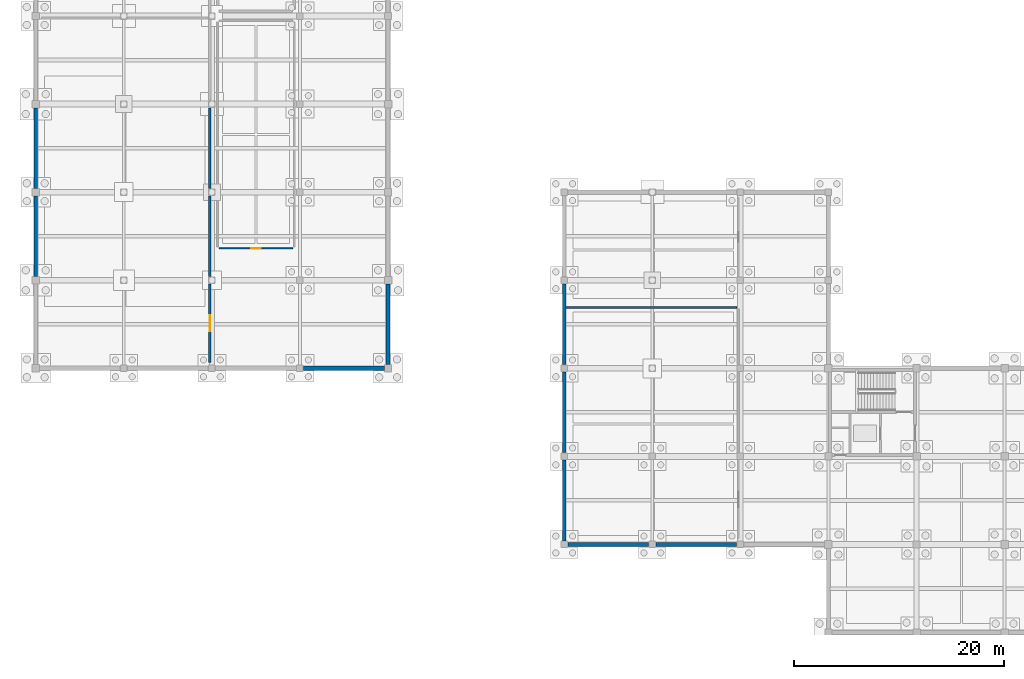
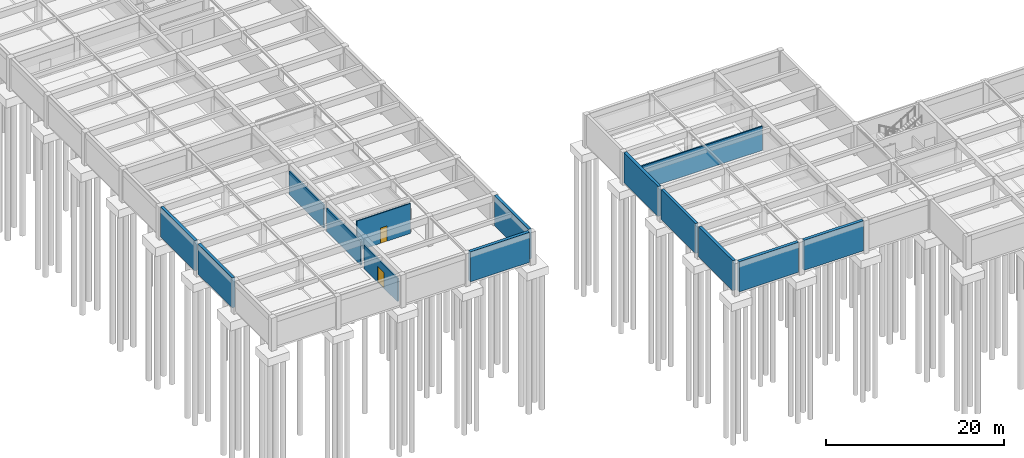
# One storey, part 16 of 33: 14 walls, 2 doors, 2 openings.
"""IFC4 building model written with IfcOpenShell, lengths in metres."""

from ifc_helpers import new_model, si_unit, direction, frame, frame_2d, origin, place, context, subcontext, project, spatial, rectangle, extrude, material, layer, layer_set, type_object, element, fill, save


model = new_model("IFC4")

# Units and contexts
model_context = context("Model", 3, precision=1e-05, world=origin(), true_north=direction((0.0, 1.0)))
body_context = subcontext(model_context, "Body", "Model", "MODEL_VIEW")
ifc_project = project(units=[si_unit("LENGTHUNIT", "METRE"), si_unit("AREAUNIT", "SQUARE_METRE"), si_unit("VOLUMEUNIT", "CUBIC_METRE"), si_unit("PLANEANGLEUNIT", "RADIAN"), si_unit("MASSUNIT", "GRAM", prefix="KILO")], contexts=[model_context])

# Site, building, storey
site_placement = place(None, origin())
site = spatial("IfcSite", under=ifc_project, at=site_placement, CompositionType="ELEMENT")
building_placement = place(site_placement, origin())
building = spatial("IfcBuilding", under=site, at=building_placement, Name="Kveldsbrygga Polytechnic", CompositionType="ELEMENT")
storey_placement = place(building_placement, frame((0.0, 0.0, -4.419921875)))
storey = spatial("IfcBuildingStorey", under=building, at=storey_placement, Name="B1", CompositionType="ELEMENT", Elevation=-4.419921875)

# Wall
ifc_material_1 = material(Name="Gypsum acoustic stud partition")
ifc_layer_1 = layer(ifc_material_1, 0.179931640625)
ifc_layer_set_1 = layer_set([ifc_layer_1], Name="Gypsum acoustic stud partition")
wall_type_1 = type_object("IfcWallType", Name="IW-CORR-180", PredefinedType="PARTITIONING", material=ifc_layer_set_1)
wall_1_placement = place(storey_placement, frame((50.580078125, 31.0, 0.0), z_axis=(0.0, 0.0, 1.0), x_axis=(1.0, 0.0, 0.0)))
element("IfcWall", 1, at=wall_1_placement, inside=storey, type_object=wall_type_1, Name="Partition Wall IW-SP-B1-CYCLE-N1", PredefinedType="PARTITIONING", context=body_context, shape_type="SweptSolid", body=[
    extrude(rectangle(XDim=16.27001953125, YDim=0.179931640625, at=frame_2d((8.135009765625, 0.0))), origin(), (0.0, 0.0, 1.0), 3.2998046875),
])

# Wall, opening, door
ifc_material_2 = material(Name="Fired clay brick masonry M10", Category="masonry")
ifc_layer_2 = layer(ifc_material_2, 0.199951171875)
ifc_layer_set_2 = layer_set([ifc_layer_2], Name="Fired clay brick masonry M10")
wall_type_2 = type_object("IfcWallType", Name="IW-LAB-200", PredefinedType="PARTITIONING", material=ifc_layer_set_2)
wall_2_placement = place(storey_placement, frame((16.60009765625, 25.75, 0.0), z_axis=(0.0, 0.0, 1.0), x_axis=(0.0, 1.0, 0.0)))
wall_2 = element("IfcWall", 2, at=wall_2_placement, inside=storey, type_object=wall_type_2, Name="Partition Wall IW-SP-B1-TEST1-E1", PredefinedType="PARTITIONING", context=body_context, shape_type="SweptSolid", body=[
    extrude(rectangle(XDim=7.47998046875, YDim=0.199951171875, at=frame_2d((3.739990234375, 0.0))), origin(), (0.0, 0.0, 1.0), 3.199951171875),
])
opening_1_placement = place(wall_2_placement, frame((2.989990234375, 0.0, 0.0)))
opening_1 = element("IfcOpeningElement", 3, at=opening_1_placement, cuts=wall_2, Name="Opening ID-B1-001", PredefinedType="OPENING", context=body_context, shape_type="SweptSolid", body=[
    extrude(rectangle(XDim=1.5, YDim=2.199951171875, at=frame_2d((0.75, 1.10009765625))), frame((0.0, 0.10986328125, 0.0), z_axis=(0.0, -1.0, 0.0), x_axis=(1.0, 0.0, 0.0)), (0.0, 0.0, 1.0), 0.219970703125),
])
ifc_material_3 = material(Name="Acoustic oak timber", Category="wood")
door_type_1 = type_object("IfcDoorType", Name="ID-LAB-150x220", OperationType="DOUBLE_DOOR_SINGLE_SWING", PredefinedType="DOOR", material=ifc_material_3)
door_1_placement = place(opening_1_placement, origin())
door_1 = element("IfcDoor", 4, at=door_1_placement, inside=storey, type_object=door_type_1, Name="Interior Door ID-B1-001", OperationType="DOUBLE_DOOR_SINGLE_SWING", OverallHeight=2.199951171875, OverallWidth=1.5, PredefinedType="DOOR", context=body_context, shape_type="SweptSolid", body=[
    extrude(rectangle(XDim=1.5, YDim=2.199951171875, at=frame_2d((0.75, 1.10009765625))), frame((0.0, 0.02490234375, 0.0), z_axis=(0.0, -1.0, 0.0), x_axis=(1.0, 0.0, 0.0)), (0.0, 0.0, 1.0), 0.050048828125),
])
fill(opening_1, door_1)

# Walls
for number, where, z_axis, x_axis, name in (
    (5, (16.60009765625, 33.969970703125, 0.0), (0.0, 0.0, 1.0), (0.0, 1.0, 0.0), "Partition Wall IW-SP-B1-TEST1-E2"),
    (6, (16.60009765625, 42.3701171875, 0.0), (0.0, 0.0, 1.0), (0.0, 1.0, 0.0), "Partition Wall IW-SP-B1-TEST1-E3"),
):
    element("IfcWall", number, at=place(storey_placement, frame(where, z_axis=z_axis, x_axis=x_axis)), inside=storey, type_object=wall_type_2, Name=name, PredefinedType="PARTITIONING", context=body_context, shape_type="SweptSolid", body=[
        extrude(rectangle(XDim=7.659912109375, YDim=0.199951171875, at=frame_2d((3.830078125, 0.0))), origin(), (0.0, 0.0, 1.0), 3.199951171875),
    ])

# Wall, opening, door
ifc_material_4 = material(Name="Moisture-resistant masonry M10", Category="masonry")
ifc_layer_3 = layer(ifc_material_4, 0.1298828125)
ifc_layer_set_3 = layer_set([ifc_layer_3], Name="Moisture-resistant masonry M10")
wall_type_3 = type_object("IfcWallType", Name="IW-SAN-130", PredefinedType="PARTITIONING", material=ifc_layer_set_3)
wall_3_placement = place(storey_placement, frame((17.5, 36.64990234375, 0.0), z_axis=(0.0, 0.0, 1.0), x_axis=(1.0, 0.0, 0.0)))
wall_3 = element("IfcWall", 7, at=wall_3_placement, inside=storey, type_object=wall_type_3, Name="Partition Wall IW-SP-B1-SHWR1-S1", PredefinedType="PARTITIONING", context=body_context, shape_type="SweptSolid", body=[
    extrude(rectangle(XDim=7.0, YDim=0.1298828125, at=frame_2d((3.5, 0.0))), origin(), (0.0, 0.0, 1.0), 4.119873046875),
])
opening_2_placement = place(wall_3_placement, frame((3.050048828125, 0.0, 0.0)))
opening_2 = element("IfcOpeningElement", 8, at=opening_2_placement, cuts=wall_3, Name="Opening ID-B1-003", PredefinedType="OPENING", context=body_context, shape_type="SweptSolid", body=[
    extrude(rectangle(XDim=0.89990234375, YDim=2.10009765625, at=frame_2d((0.449951171875, 1.050048828125))), frame((0.0, 0.074951171875, 0.0), z_axis=(0.0, -1.0, 0.0), x_axis=(1.0, 0.0, 0.0)), (0.0, 0.0, 1.0), 0.14990234375),
])
door_type_2 = type_object("IfcDoorType", Name="ID-SAN-090x210", OperationType="NOTDEFINED", PredefinedType="DOOR", material=ifc_material_3)
door_2_placement = place(opening_2_placement, origin())
door_2 = element("IfcDoor", 9, at=door_2_placement, inside=storey, type_object=door_type_2, Name="Interior Door ID-B1-003", OperationType="SINGLE_SWING_RIGHT", OverallHeight=2.10009765625, OverallWidth=0.89990234375, PredefinedType="DOOR", context=body_context, shape_type="SweptSolid", body=[
    extrude(rectangle(XDim=0.89990234375, YDim=2.10009765625, at=frame_2d((0.449951171875, 1.050048828125))), frame((0.0, 0.02490234375, 0.0), z_axis=(0.0, -1.0, 0.0), x_axis=(1.0, 0.0, 0.0)), (0.0, 0.0, 1.0), 0.050048828125),
])
fill(opening_2, door_2)

# Walls
ifc_material_5 = material(Name="Concrete C35/45", Category="concrete")
ifc_layer_4 = layer(ifc_material_5, 0.360107421875)
ifc_layer_set_4 = layer_set([ifc_layer_4], Name="Concrete C35/45")
wall_type_4 = type_object("IfcWallType", Name="WL-RET-360", PredefinedType="USERDEFINED", material=ifc_layer_set_4)
for number, where, z_axis, x_axis, name in (
    (10, (0.0, 33.949951171875, 0.0), (0.0, 0.0, 1.0), (0.0, 1.0, 0.0), "Basement Retaining Wall RW-W-00-04"),
    (11, (0.0, 42.35009765625, 0.0), (0.0, 0.0, 1.0), (0.0, 1.0, 0.0), "Basement Retaining Wall RW-W-00-05"),
    (12, (33.60009765625, 25.550048828125, 0.0), (0.0, 0.0, 1.0), (0.0, 1.0, 0.0), "Basement Retaining Wall RW-E-03-03"),
    (13, (50.39990234375, 8.75, 0.0), (0.0, 0.0, 1.0), (0.0, 1.0, 0.0), "Basement Retaining Wall RW-W-06-01"),
):
    element("IfcWall", number, at=place(storey_placement, frame(where, z_axis=z_axis, x_axis=x_axis)), inside=storey, type_object=wall_type_4, Name=name, ObjectType="RETAININGWALL", PredefinedType="USERDEFINED", context=body_context, shape_type="SweptSolid", body=[
        extrude(rectangle(XDim=7.699951171875, YDim=0.360107421875, at=frame_2d((3.85009765625, 0.0))), origin(), (0.0, 0.0, 1.0), 4.119873046875),
    ])
wall_4_placement = place(storey_placement, frame((50.39990234375, 17.14990234375, 0.0), z_axis=(0.0, 0.0, 1.0), x_axis=(0.0, 1.0, 0.0)))
element("IfcWall", 14, at=wall_4_placement, inside=storey, type_object=wall_type_4, Name="Basement Retaining Wall RW-W-06-02", ObjectType="RETAININGWALL", PredefinedType="USERDEFINED", context=body_context, shape_type="SweptSolid", body=[
    extrude(rectangle(XDim=7.7001953125, YDim=0.360107421875, at=frame_2d((3.85009765625, 0.0))), origin(), (0.0, 0.0, 1.0), 4.119873046875),
])
wall_5_placement = place(storey_placement, frame((50.39990234375, 25.550048828125, 0.0), z_axis=(0.0, 0.0, 1.0), x_axis=(0.0, 1.0, 0.0)))
element("IfcWall", 15, at=wall_5_placement, inside=storey, type_object=wall_type_4, Name="Basement Retaining Wall RW-W-06-03", ObjectType="RETAININGWALL", PredefinedType="USERDEFINED", context=body_context, shape_type="SweptSolid", body=[
    extrude(rectangle(XDim=7.699951171875, YDim=0.360107421875, at=frame_2d((3.85009765625, 0.0))), origin(), (0.0, 0.0, 1.0), 4.119873046875),
])
ifc_layer_5 = layer(ifc_material_5, 0.39990234375)
ifc_layer_set_5 = layer_set([ifc_layer_5], Name="Concrete C35/45")
wall_type_5 = type_object("IfcWallType", Name="WL-RET-400", PredefinedType="USERDEFINED", material=ifc_layer_set_5)
for number, where, z_axis, x_axis, name in (
    (16, (25.550048828125, 25.199951171875, 0.0), (0.0, 0.0, 1.0), (1.0, 0.0, 0.0), "Basement Retaining Wall RW-S-03-03"),
    (17, (50.75, 8.39990234375, 0.0), (0.0, 0.0, 1.0), (1.0, 0.0, 0.0), "Basement Retaining Wall RW-S-06-01"),
):
    element("IfcWall", number, at=place(storey_placement, frame(where, z_axis=z_axis, x_axis=x_axis)), inside=storey, type_object=wall_type_5, Name=name, ObjectType="RETAININGWALL", PredefinedType="USERDEFINED", context=body_context, shape_type="SweptSolid", body=[
        extrude(rectangle(XDim=7.699951171875, YDim=0.39990234375, at=frame_2d((3.85009765625, 0.0))), origin(), (0.0, 0.0, 1.0), 4.119873046875),
    ])
wall_6_placement = place(storey_placement, frame((59.14990234375, 8.39990234375, 0.0), z_axis=(0.0, 0.0, 1.0), x_axis=(1.0, 0.0, 0.0)))
element("IfcWall", 18, at=wall_6_placement, inside=storey, type_object=wall_type_5, Name="Basement Retaining Wall RW-S-07-01", ObjectType="RETAININGWALL", PredefinedType="USERDEFINED", context=body_context, shape_type="SweptSolid", body=[
    extrude(rectangle(XDim=7.7001953125, YDim=0.39990234375, at=frame_2d((3.85009765625, 0.0))), origin(), (0.0, 0.0, 1.0), 4.119873046875),
])

save(model, "model.ifc")
